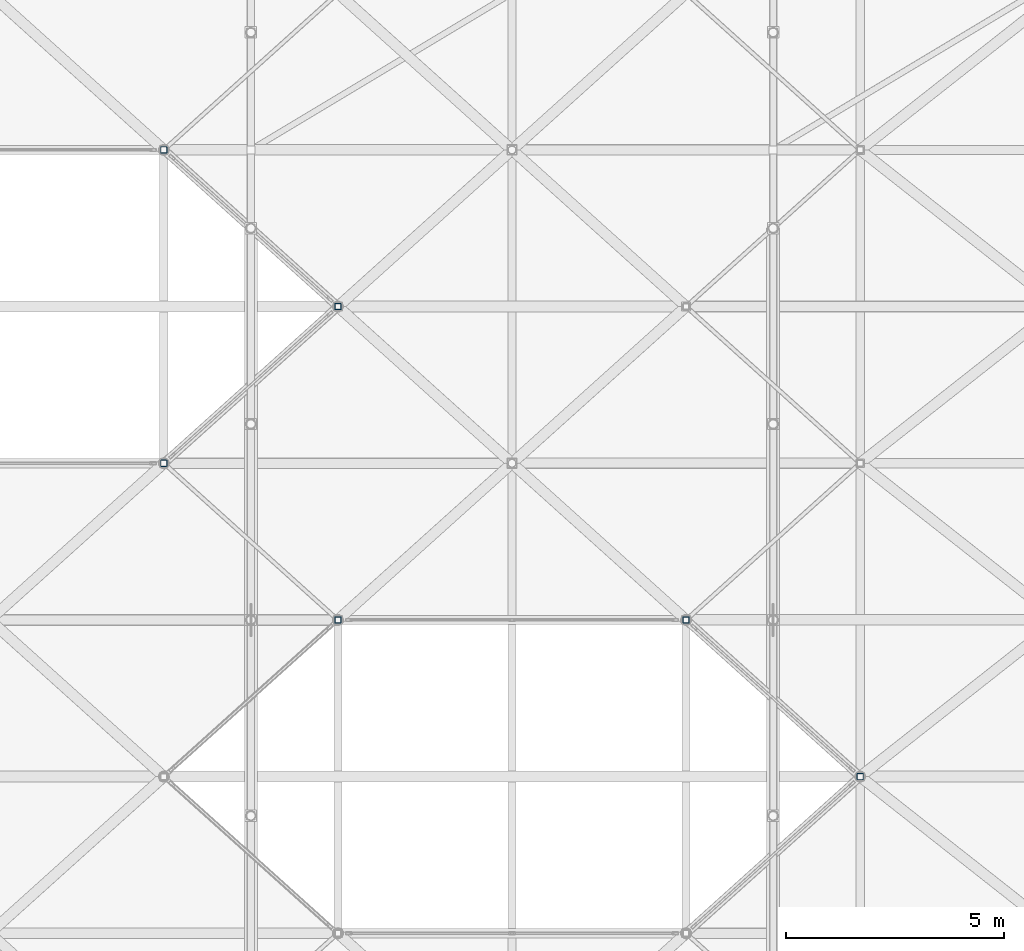
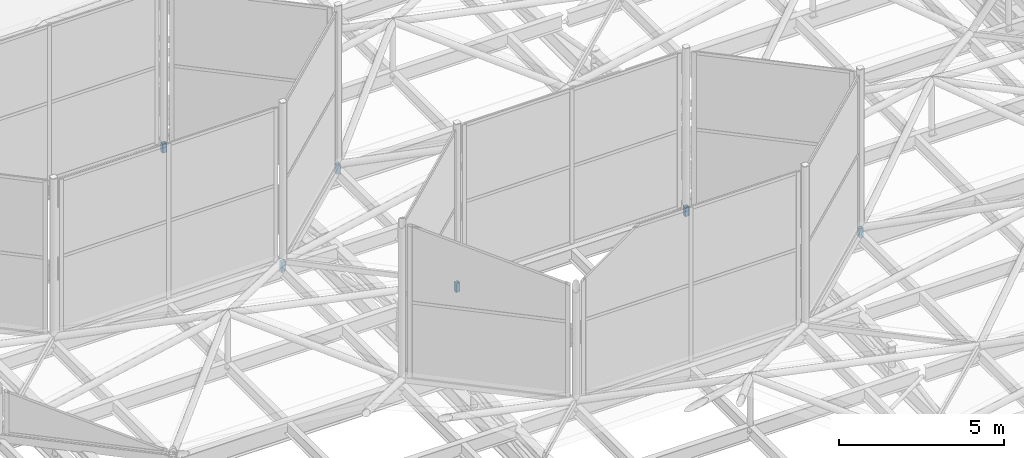
# One storey, part 204 of 239: 6 members.
"""IFC4 building model written with IfcOpenShell, lengths in metres."""

from ifc_helpers import new_model, si_unit, direction, frame, origin, origin_2d, place, context, subcontext, project, spatial, hollow_rectangle, extrude, material, material_profile, profile_set, type_object, element, save


model = new_model("IFC4")

# Units and contexts
model_context = context("Model", 3, precision=1e-05, world=origin(), true_north=direction((0.0, 1.0)))
body_context = subcontext(model_context, "Body", "Model", "MODEL_VIEW")
ifc_project = project(units=[si_unit("LENGTHUNIT", "METRE"), si_unit("AREAUNIT", "SQUARE_METRE"), si_unit("VOLUMEUNIT", "CUBIC_METRE"), si_unit("PLANEANGLEUNIT", "RADIAN"), si_unit("MASSUNIT", "GRAM", prefix="KILO")], contexts=[model_context])

# Site, building, storey
site_placement = place(None, origin())
site = spatial("IfcSite", under=ifc_project, at=site_placement, CompositionType="ELEMENT")
building_placement = place(site_placement, origin())
building = spatial("IfcBuilding", under=site, at=building_placement, Name="Dunvalen Ferry Terminal", CompositionType="ELEMENT")
storey_placement = place(building_placement, frame((0.0, 0.0, 9.840087890625)))
storey = spatial("IfcBuildingStorey", under=building, at=storey_placement, Name="L02", CompositionType="ELEMENT", Elevation=9.840087890625)

# Members
ifc_material = material(Name="Steel S355", Category="steel")
ifc_material_profile = material_profile(ifc_material, hollow_rectangle(XDim=0.14990234375, YDim=0.14990234375, WallThickness=0.008056640625, InnerFilletRadius=0.008056640625, OuterFilletRadius=0.01611328125, at=origin_2d()), Name="Steel S355")
ifc_profile_set = profile_set([ifc_material_profile], Name="Steel S355")
member_type = type_object("IfcMemberType", Name="STR-MB-SHS150", PredefinedType="BRACE", material=ifc_profile_set)
for number, where, z_axis, x_axis, name in (
    (1, (74.0, 68.39990234375, 0.77001953125), (0.0, 0.0, 1.0), (1.0, 0.0, 0.0), "HEX-31 Rim Pedestal Strut 4"),
    (2, (70.0, 72.0, 0.77001953125), (0.0, 0.0, 1.0), (1.0, 0.0, 0.0), "HEX-31 Rim Pedestal Strut 5"),
    (3, (70.0, 79.199951171875, 0.77001953125), (0.0, 0.0, 1.0), (1.0, 0.0, 0.0), "HEX-33 Rim Pedestal Strut 3"),
    (4, (82.0, 68.39990234375, 0.77001953125), (0.0, 0.0, 1.0), (1.0, 0.0, 0.0), "HEX-37 Rim Pedestal Strut 3"),
    (5, (74.0, 75.60009765625, 0.77001953125), (0.0, 0.0, 1.0), (1.0, 0.0, 0.0), "HEX-37 Rim Pedestal Strut 6"),
    (6, (86.0, 64.800048828125, 0.77001953125), (0.0, 0.0, 1.0), (1.0, 0.0, 0.0), "HEX-41 Rim Pedestal Strut 7"),
):
    element("IfcMember", number, at=place(storey_placement, frame(where, z_axis=z_axis, x_axis=x_axis)), inside=storey, type_object=member_type, Name=name, PredefinedType="BRACE", context=body_context, shape_type="SweptSolid", body=[
        extrude(hollow_rectangle(XDim=0.14990234375, YDim=0.14990234375, WallThickness=0.008056640625, InnerFilletRadius=0.008056640625, OuterFilletRadius=0.01611328125, at=origin_2d()), origin(), (0.0, 0.0, 1.0), 0.329833984375),
    ])

save(model, "model.ifc")
